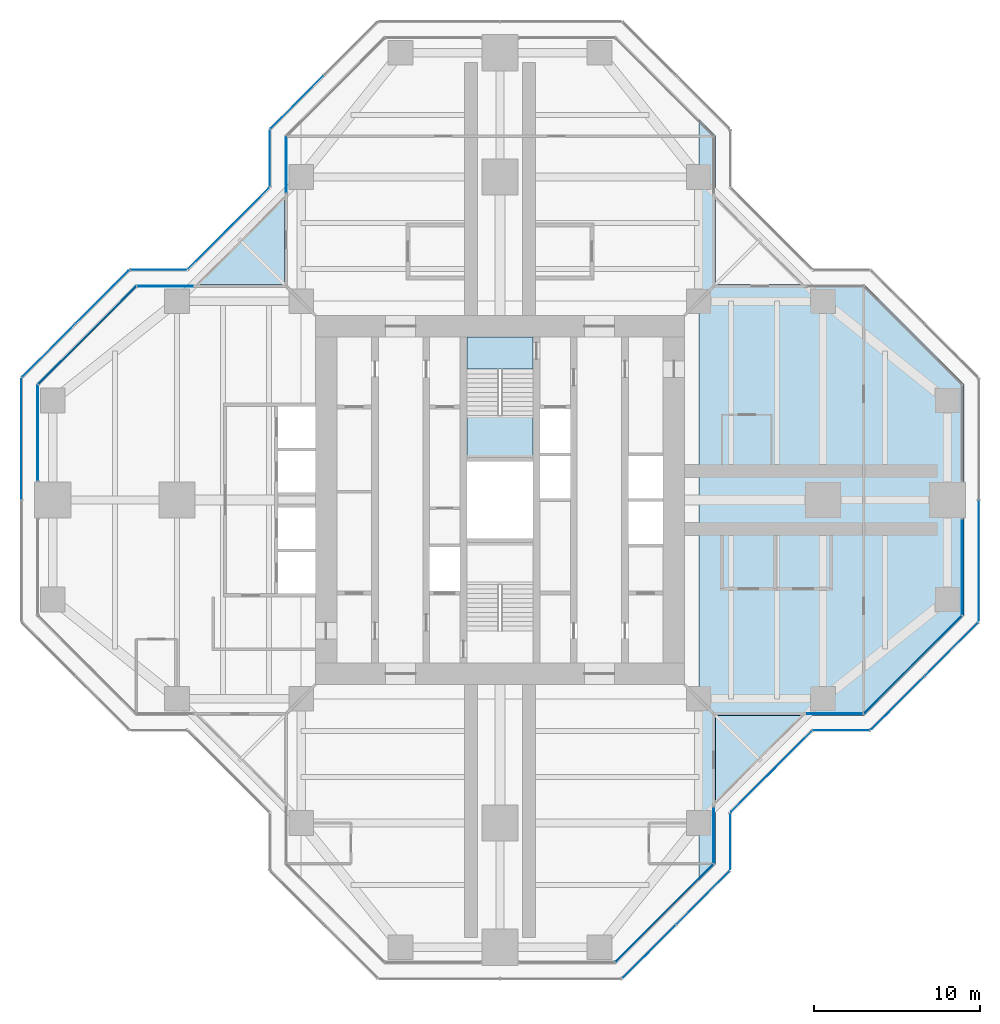
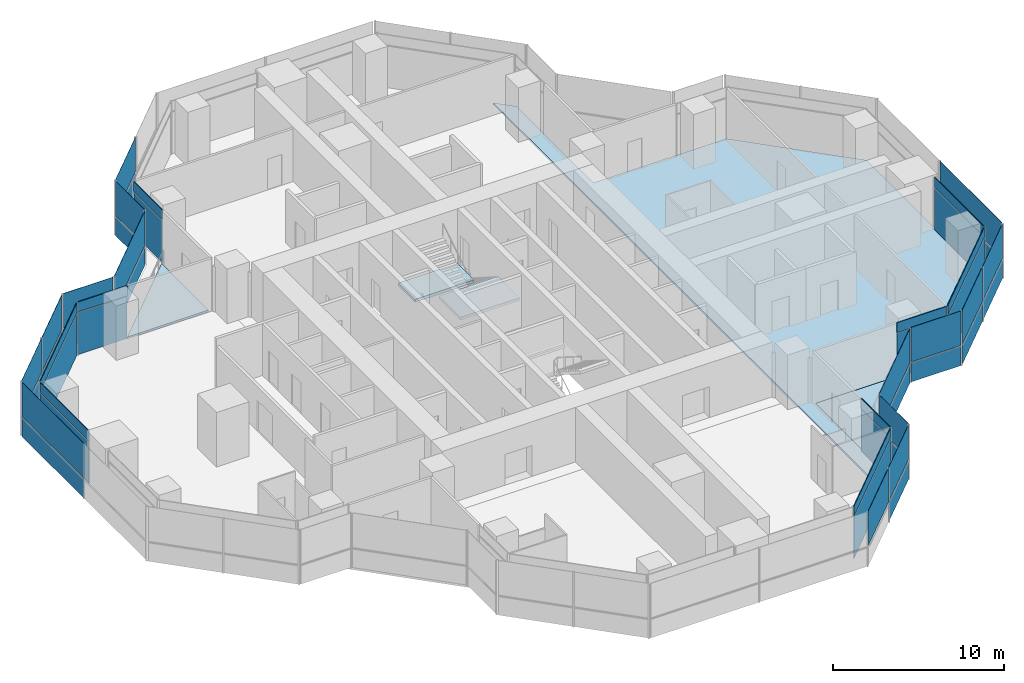
# One storey, part 11 of 17: 47 plates, 5 slabs, 22 elements without a shape of their own.
"""IFC4 building model written with IfcOpenShell, lengths in metres."""

from ifc_helpers import new_model, si_unit, direction, frame, origin, origin_2d, place, context, subcontext, project, spatial, polyline, rectangle, outline, extrude, material, layer, layer_set, type_object, element, aggregate, save


model = new_model("IFC4")

# Units and contexts
model_context = context("Model", 3, precision=1e-05, world=origin(), true_north=direction((0.0, 1.0)))
body_context = subcontext(model_context, "Body", "Model", "MODEL_VIEW")
ifc_project = project(units=[si_unit("LENGTHUNIT", "METRE"), si_unit("AREAUNIT", "SQUARE_METRE"), si_unit("VOLUMEUNIT", "CUBIC_METRE"), si_unit("PLANEANGLEUNIT", "RADIAN"), si_unit("MASSUNIT", "GRAM", prefix="KILO")], contexts=[model_context])

# Site, building, storey
site_placement = place(None, origin())
site = spatial("IfcSite", under=ifc_project, at=site_placement, CompositionType="ELEMENT")
building_placement = place(site_placement, origin())
building = spatial("IfcBuilding", under=site, at=building_placement, Name="Mizan Broadcast Tower", CompositionType="ELEMENT")
storey_placement = place(building_placement, frame((0.0, 0.0, 232.199951171875)))
storey = spatial("IfcBuildingStorey", under=building, at=storey_placement, Name="L54", CompositionType="ELEMENT", Elevation=232.199951171875)

# Slab
ifc_material_1 = material(Name="Concrete C32/40", Category="concrete")
ifc_layer_1 = layer(ifc_material_1, 0.1298828125)
ifc_layer_set_1 = layer_set([ifc_layer_1], Name="Concrete C32/40")
slab_type_1 = type_object("IfcSlabType", Name="COMPOSITE DECK SLAB 130", PredefinedType="FLOOR", material=ifc_layer_set_1)
slab_1_placement = place(storey_placement, frame((0.0, 0.0, -0.1298828125)))
element("IfcSlab", 1, at=slab_1_placement, inside=storey, type_object=slab_type_1, Name="Floor slab L54 east arm", PredefinedType="FLOOR", context=body_context, shape_type="SweptSolid", body=[
    extrude(outline(polyline([(13.0, 22.0), (12.0, 23.0), (12.0, -23.0), (13.0, -22.0), (13.0, -13.0), (22.0, -13.0), (28.0, -7.0), (28.0, 7.0), (22.0, 13.0), (13.0, 13.0), (13.0, 22.0)])), origin(), (0.0, 0.0, 1.0), 0.1298828125),
])

# Curtain wall, plate
ifc_material_2 = material(Name="Aluminium framed glazing", Category="aluminium")
curtain_wall_type_1 = type_object("IfcCurtainWallType", Name="INNER SKIN HIGH ZONE", PredefinedType="USERDEFINED", material=ifc_material_2)
curtain_wall_1_placement = place(storey_placement, origin())
curtain_wall_1 = element("IfcCurtainWall", 2, at=curtain_wall_1_placement, inside=storey, type_object=curtain_wall_type_1, Name="Inner skin high zone L54 E side", ObjectType="INNER SKIN HIGH ZONE", PredefinedType="USERDEFINED")
ifc_material_3 = material(Name="Double glazing, clear low-e", Category="glass")
ifc_layer_2 = layer(ifc_material_3, 0.028076171875)
ifc_layer_set_2 = layer_set([ifc_layer_2], Name="Double glazing, clear low-e")
plate_type_1 = type_object("IfcPlateType", Name="INNER SKIN GLAZING UNIT", PredefinedType="CURTAIN_PANEL", material=ifc_layer_set_2)
plate_1_placement = place(storey_placement, frame((20.229248046875, -12.89990234375, 0.0), z_axis=(0.0, 0.0, 1.0), x_axis=(1.0, 0.0, 0.0)))
plate_1 = element("IfcPlate", 3, at=plate_1_placement, type_object=plate_type_1, Name="Inner skin high zone L54 E side panel 1.1", PredefinedType="CURTAIN_PANEL", context=body_context, shape_type="SweptSolid", body=[
    extrude(rectangle(XDim=3.338623046875, YDim=0.028076171875, at=origin_2d()), origin(), (0.0, 0.0, 1.0), 3.0),
])

curtain_wall_2_placement = place(storey_placement, origin())
curtain_wall_2 = element("IfcCurtainWall", 4, at=curtain_wall_2_placement, inside=storey, type_object=curtain_wall_type_1, Name="Inner skin high zone L54 E chamfer", ObjectType="INNER SKIN HIGH ZONE", PredefinedType="USERDEFINED")
plate_2_placement = place(storey_placement, frame((24.92919921875, -9.92919921875, 0.0), z_axis=(0.0, 0.0, 1.0), x_axis=(0.707106781187, 0.707106781187, 0.0)))
plate_2 = element("IfcPlate", 5, at=plate_2_placement, type_object=plate_type_1, Name="Inner skin high zone L54 E chamfer panel 1.1", PredefinedType="CURTAIN_PANEL", context=body_context, shape_type="SweptSolid", body=[
    extrude(rectangle(XDim=8.282470703125, YDim=0.028076171875, at=origin_2d()), origin(), (0.0, 0.0, 1.0), 3.0),
])

curtain_wall_3_placement = place(storey_placement, origin())
curtain_wall_3 = element("IfcCurtainWall", 6, at=curtain_wall_3_placement, inside=storey, type_object=curtain_wall_type_1, Name="Inner skin high zone L54 E end", ObjectType="INNER SKIN HIGH ZONE", PredefinedType="USERDEFINED")
plate_3_placement = place(storey_placement, frame((27.89990234375, -4.029296875, 0.0), z_axis=(0.0, 0.0, 1.0), x_axis=(0.0, 1.0, 0.0)))
plate_3 = element("IfcPlate", 7, at=plate_3_placement, type_object=plate_type_1, Name="Inner skin high zone L54 E end panel 1.1", PredefinedType="CURTAIN_PANEL", context=body_context, shape_type="SweptSolid", body=[
    extrude(rectangle(XDim=5.738525390625, YDim=0.028076171875, at=origin_2d()), origin(), (0.0, 0.0, 1.0), 3.0),
])

curtain_wall_4_placement = place(storey_placement, origin())
curtain_wall_4 = element("IfcCurtainWall", 8, at=curtain_wall_4_placement, inside=storey, type_object=curtain_wall_type_1, Name="Inner skin high zone L54 N side", ObjectType="INNER SKIN HIGH ZONE", PredefinedType="USERDEFINED")
plate_4_placement = place(storey_placement, frame((-12.89990234375, 20.229248046875, 0.0), z_axis=(0.0, 0.0, 1.0), x_axis=(0.0, -1.0, 0.0)))
plate_4 = element("IfcPlate", 9, at=plate_4_placement, type_object=plate_type_1, Name="Inner skin high zone L54 N side panel 1.1", PredefinedType="CURTAIN_PANEL", context=body_context, shape_type="SweptSolid", body=[
    extrude(rectangle(XDim=3.338623046875, YDim=0.028076171875, at=origin_2d()), origin(), (0.0, 0.0, 1.0), 3.0),
])

curtain_wall_5_placement = place(storey_placement, origin())
curtain_wall_5 = element("IfcCurtainWall", 10, at=curtain_wall_5_placement, inside=storey, type_object=curtain_wall_type_1, Name="Inner skin high zone L54 W side", ObjectType="INNER SKIN HIGH ZONE", PredefinedType="USERDEFINED")
plate_5_placement = place(storey_placement, frame((-20.229248046875, 12.89990234375, 0.0), z_axis=(0.0, 0.0, 1.0), x_axis=(-1.0, 0.0, 0.0)))
plate_5 = element("IfcPlate", 11, at=plate_5_placement, type_object=plate_type_1, Name="Inner skin high zone L54 W side panel 1.1", PredefinedType="CURTAIN_PANEL", context=body_context, shape_type="SweptSolid", body=[
    extrude(rectangle(XDim=3.338623046875, YDim=0.028076171875, at=origin_2d()), origin(), (0.0, 0.0, 1.0), 3.0),
])

curtain_wall_6_placement = place(storey_placement, origin())
curtain_wall_6 = element("IfcCurtainWall", 12, at=curtain_wall_6_placement, inside=storey, type_object=curtain_wall_type_1, Name="Inner skin high zone L54 W chamfer", ObjectType="INNER SKIN HIGH ZONE", PredefinedType="USERDEFINED")
plate_6_placement = place(storey_placement, frame((-24.92919921875, 9.92919921875, 0.0), z_axis=(0.0, 0.0, 1.0), x_axis=(-0.707106781187, -0.707106781187, 0.0)))
plate_6 = element("IfcPlate", 13, at=plate_6_placement, type_object=plate_type_1, Name="Inner skin high zone L54 W chamfer panel 1.1", PredefinedType="CURTAIN_PANEL", context=body_context, shape_type="SweptSolid", body=[
    extrude(rectangle(XDim=8.282470703125, YDim=0.028076171875, at=origin_2d()), origin(), (0.0, 0.0, 1.0), 3.0),
])

curtain_wall_7_placement = place(storey_placement, origin())
curtain_wall_7 = element("IfcCurtainWall", 14, at=curtain_wall_7_placement, inside=storey, type_object=curtain_wall_type_1, Name="Inner skin high zone L54 W end", ObjectType="INNER SKIN HIGH ZONE", PredefinedType="USERDEFINED")
plate_7_placement = place(storey_placement, frame((-27.89990234375, 4.029296875, 0.0), z_axis=(0.0, 0.0, 1.0), x_axis=(0.0, -1.0, 0.0)))
plate_7 = element("IfcPlate", 15, at=plate_7_placement, type_object=plate_type_1, Name="Inner skin high zone L54 W end panel 1.1", PredefinedType="CURTAIN_PANEL", context=body_context, shape_type="SweptSolid", body=[
    extrude(rectangle(XDim=5.738525390625, YDim=0.028076171875, at=origin_2d()), origin(), (0.0, 0.0, 1.0), 3.0),
])

curtain_wall_8_placement = place(storey_placement, origin())
curtain_wall_8 = element("IfcCurtainWall", 16, at=curtain_wall_8_placement, inside=storey, type_object=curtain_wall_type_1, Name="Inner skin high zone L54 S chamfer", ObjectType="INNER SKIN HIGH ZONE", PredefinedType="USERDEFINED")
plate_8_placement = place(storey_placement, frame((9.92919921875, -24.92919921875, 0.0), z_axis=(0.0, 0.0, 1.0), x_axis=(0.707106781187, 0.707106781187, 0.0)))
plate_8 = element("IfcPlate", 17, at=plate_8_placement, type_object=plate_type_1, Name="Inner skin high zone L54 S chamfer panel 1.1", PredefinedType="CURTAIN_PANEL", context=body_context, shape_type="SweptSolid", body=[
    extrude(rectangle(XDim=8.282470703125, YDim=0.028076171875, at=origin_2d()), origin(), (0.0, 0.0, 1.0), 3.0),
])

curtain_wall_9_placement = place(storey_placement, origin())
curtain_wall_9 = element("IfcCurtainWall", 18, at=curtain_wall_9_placement, inside=storey, type_object=curtain_wall_type_1, Name="Inner skin high zone L54 S side", ObjectType="INNER SKIN HIGH ZONE", PredefinedType="USERDEFINED")
plate_9_placement = place(storey_placement, frame((12.89990234375, -20.229248046875, 0.0), z_axis=(0.0, 0.0, 1.0), x_axis=(0.0, 1.0, 0.0)))
plate_9 = element("IfcPlate", 19, at=plate_9_placement, type_object=plate_type_1, Name="Inner skin high zone L54 S side panel 1.1", PredefinedType="CURTAIN_PANEL", context=body_context, shape_type="SweptSolid", body=[
    extrude(rectangle(XDim=3.338623046875, YDim=0.028076171875, at=origin_2d()), origin(), (0.0, 0.0, 1.0), 3.0),
])

# Plate
ifc_material_4 = material(Name="Insulated aluminium spandrel panel, pale anodised", Category="aluminium")
ifc_layer_3 = layer(ifc_material_4, 0.050048828125)
ifc_layer_set_3 = layer_set([ifc_layer_3], Name="Insulated aluminium spandrel panel, pale anodised")
plate_type_2 = type_object("IfcPlateType", Name="INNER SKIN SPANDREL PANEL", PredefinedType="CURTAIN_PANEL", material=ifc_layer_set_3)
plate_10_placement = place(storey_placement, frame((20.229248046875, -12.89990234375, 3.06005859375), z_axis=(0.0, 0.0, 1.0), x_axis=(1.0, 0.0, 0.0)))
plate_10 = element("IfcPlate", 20, at=plate_10_placement, type_object=plate_type_2, Name="Inner skin high zone L54 E side panel 1.2", PredefinedType="CURTAIN_PANEL", context=body_context, shape_type="SweptSolid", body=[
    extrude(rectangle(XDim=3.338623046875, YDim=0.050048828125, at=origin_2d()), origin(), (0.0, 0.0, 1.0), 0.7099609375),
])

aggregate(curtain_wall_1, [plate_1, plate_10])

plate_11_placement = place(storey_placement, frame((24.92919921875, -9.92919921875, 3.06005859375), z_axis=(0.0, 0.0, 1.0), x_axis=(0.707106781187, 0.707106781187, 0.0)))
plate_11 = element("IfcPlate", 21, at=plate_11_placement, type_object=plate_type_2, Name="Inner skin high zone L54 E chamfer panel 1.2", PredefinedType="CURTAIN_PANEL", context=body_context, shape_type="SweptSolid", body=[
    extrude(rectangle(XDim=8.282470703125, YDim=0.050048828125, at=origin_2d()), origin(), (0.0, 0.0, 1.0), 0.7099609375),
])

aggregate(curtain_wall_2, [plate_2, plate_11])

plate_12_placement = place(storey_placement, frame((27.89990234375, -4.029296875, 3.06005859375), z_axis=(0.0, 0.0, 1.0), x_axis=(0.0, 1.0, 0.0)))
plate_12 = element("IfcPlate", 22, at=plate_12_placement, type_object=plate_type_2, Name="Inner skin high zone L54 E end panel 1.2", PredefinedType="CURTAIN_PANEL", context=body_context, shape_type="SweptSolid", body=[
    extrude(rectangle(XDim=5.738525390625, YDim=0.050048828125, at=origin_2d()), origin(), (0.0, 0.0, 1.0), 0.7099609375),
])

aggregate(curtain_wall_3, [plate_3, plate_12])

plate_13_placement = place(storey_placement, frame((-12.89990234375, 20.229248046875, 3.06005859375), z_axis=(0.0, 0.0, 1.0), x_axis=(0.0, -1.0, 0.0)))
plate_13 = element("IfcPlate", 23, at=plate_13_placement, type_object=plate_type_2, Name="Inner skin high zone L54 N side panel 1.2", PredefinedType="CURTAIN_PANEL", context=body_context, shape_type="SweptSolid", body=[
    extrude(rectangle(XDim=3.338623046875, YDim=0.050048828125, at=origin_2d()), origin(), (0.0, 0.0, 1.0), 0.7099609375),
])

aggregate(curtain_wall_4, [plate_4, plate_13])

plate_14_placement = place(storey_placement, frame((-20.229248046875, 12.89990234375, 3.06005859375), z_axis=(0.0, 0.0, 1.0), x_axis=(-1.0, 0.0, 0.0)))
plate_14 = element("IfcPlate", 24, at=plate_14_placement, type_object=plate_type_2, Name="Inner skin high zone L54 W side panel 1.2", PredefinedType="CURTAIN_PANEL", context=body_context, shape_type="SweptSolid", body=[
    extrude(rectangle(XDim=3.338623046875, YDim=0.050048828125, at=origin_2d()), origin(), (0.0, 0.0, 1.0), 0.7099609375),
])

aggregate(curtain_wall_5, [plate_5, plate_14])

plate_15_placement = place(storey_placement, frame((-24.92919921875, 9.92919921875, 3.06005859375), z_axis=(0.0, 0.0, 1.0), x_axis=(-0.707106781187, -0.707106781187, 0.0)))
plate_15 = element("IfcPlate", 25, at=plate_15_placement, type_object=plate_type_2, Name="Inner skin high zone L54 W chamfer panel 1.2", PredefinedType="CURTAIN_PANEL", context=body_context, shape_type="SweptSolid", body=[
    extrude(rectangle(XDim=8.282470703125, YDim=0.050048828125, at=origin_2d()), origin(), (0.0, 0.0, 1.0), 0.7099609375),
])

aggregate(curtain_wall_6, [plate_6, plate_15])

plate_16_placement = place(storey_placement, frame((-27.89990234375, 4.029296875, 3.06005859375), z_axis=(0.0, 0.0, 1.0), x_axis=(0.0, -1.0, 0.0)))
plate_16 = element("IfcPlate", 26, at=plate_16_placement, type_object=plate_type_2, Name="Inner skin high zone L54 W end panel 1.2", PredefinedType="CURTAIN_PANEL", context=body_context, shape_type="SweptSolid", body=[
    extrude(rectangle(XDim=5.738525390625, YDim=0.050048828125, at=origin_2d()), origin(), (0.0, 0.0, 1.0), 0.7099609375),
])

aggregate(curtain_wall_7, [plate_7, plate_16])

plate_17_placement = place(storey_placement, frame((9.92919921875, -24.92919921875, 3.06005859375), z_axis=(0.0, 0.0, 1.0), x_axis=(0.707106781187, 0.707106781187, 0.0)))
plate_17 = element("IfcPlate", 27, at=plate_17_placement, type_object=plate_type_2, Name="Inner skin high zone L54 S chamfer panel 1.2", PredefinedType="CURTAIN_PANEL", context=body_context, shape_type="SweptSolid", body=[
    extrude(rectangle(XDim=8.282470703125, YDim=0.050048828125, at=origin_2d()), origin(), (0.0, 0.0, 1.0), 0.7099609375),
])

aggregate(curtain_wall_8, [plate_8, plate_17])

plate_18_placement = place(storey_placement, frame((12.89990234375, -20.229248046875, 3.06005859375), z_axis=(0.0, 0.0, 1.0), x_axis=(0.0, 1.0, 0.0)))
plate_18 = element("IfcPlate", 28, at=plate_18_placement, type_object=plate_type_2, Name="Inner skin high zone L54 S side panel 1.2", PredefinedType="CURTAIN_PANEL", context=body_context, shape_type="SweptSolid", body=[
    extrude(rectangle(XDim=3.338623046875, YDim=0.050048828125, at=origin_2d()), origin(), (0.0, 0.0, 1.0), 0.7099609375),
])

aggregate(curtain_wall_9, [plate_9, plate_18])

# Curtain wall, plates
ifc_material_5 = material(Name="Aluminium framed glazing", Category="aluminium")
curtain_wall_type_2 = type_object("IfcCurtainWallType", Name="OUTER SKIN", PredefinedType="USERDEFINED", material=ifc_material_5)
curtain_wall_10_placement = place(storey_placement, origin())
curtain_wall_10 = element("IfcCurtainWall", 29, at=curtain_wall_10_placement, inside=storey, type_object=curtain_wall_type_2, Name="Outer skin L54 E chamfer", ObjectType="OUTER SKIN", PredefinedType="USERDEFINED")
ifc_material_6 = material(Name="Laminated clear glass", Category="glass")
ifc_layer_4 = layer(ifc_material_6, 0.02001953125)
ifc_layer_set_4 = layer_set([ifc_layer_4], Name="Laminated clear glass")
plate_type_3 = type_object("IfcPlateType", Name="OUTER SKIN CLEAR GLASS", PredefinedType="CURTAIN_PANEL", material=ifc_layer_set_4)
plate_19_placement = place(storey_placement, frame((24.018798828125, -12.254150390625, 0.0), z_axis=(0.0, 0.0, 1.0), x_axis=(0.707106781187, 0.707106781187, 0.0)))
plate_19 = element("IfcPlate", 30, at=plate_19_placement, type_object=plate_type_3, Name="Outer skin L54 E chamfer panel 1.1", PredefinedType="CURTAIN_PANEL", context=body_context, shape_type="SweptSolid", body=[
    extrude(rectangle(XDim=4.495361328125, YDim=0.02001953125, at=origin_2d()), origin(), (0.0, 0.0, 1.0), 1.3701171875),
])
plate_20_placement = place(storey_placement, frame((24.018798828125, -12.254150390625, 1.43017578125), z_axis=(0.0, 0.0, 1.0), x_axis=(0.707106781187, 0.707106781187, 0.0)))
plate_20 = element("IfcPlate", 31, at=plate_20_placement, type_object=plate_type_3, Name="Outer skin L54 E chamfer panel 1.2", PredefinedType="CURTAIN_PANEL", context=body_context, shape_type="SweptSolid", body=[
    extrude(rectangle(XDim=4.495361328125, YDim=0.02001953125, at=origin_2d()), origin(), (0.0, 0.0, 1.0), 2.469970703125),
])

curtain_wall_11_placement = place(storey_placement, origin())
curtain_wall_11 = element("IfcCurtainWall", 32, at=curtain_wall_11_placement, inside=storey, type_object=curtain_wall_type_2, Name="Outer skin L54 E end", ObjectType="OUTER SKIN", PredefinedType="USERDEFINED")
plate_21_placement = place(storey_placement, frame((28.89990234375, -3.66650390625, 0.0), z_axis=(0.0, 0.0, 1.0), x_axis=(0.0, 1.0, 0.0)))
plate_21 = element("IfcPlate", 33, at=plate_21_placement, type_object=plate_type_3, Name="Outer skin L54 E end panel 1.1", PredefinedType="CURTAIN_PANEL", context=body_context, shape_type="SweptSolid", body=[
    extrude(rectangle(XDim=7.252685546875, YDim=0.02001953125, at=origin_2d()), origin(), (0.0, 0.0, 1.0), 1.3701171875),
])
plate_22_placement = place(storey_placement, frame((28.89990234375, -3.66650390625, 1.43017578125), z_axis=(0.0, 0.0, 1.0), x_axis=(0.0, 1.0, 0.0)))
plate_22 = element("IfcPlate", 34, at=plate_22_placement, type_object=plate_type_3, Name="Outer skin L54 E end panel 1.2", PredefinedType="CURTAIN_PANEL", context=body_context, shape_type="SweptSolid", body=[
    extrude(rectangle(XDim=7.252685546875, YDim=0.02001953125, at=origin_2d()), origin(), (0.0, 0.0, 1.0), 2.469970703125),
])
aggregate(curtain_wall_11, [plate_21, plate_22])

curtain_wall_12_placement = place(storey_placement, origin())
curtain_wall_12 = element("IfcCurtainWall", 35, at=curtain_wall_12_placement, inside=storey, type_object=curtain_wall_type_2, Name="Outer skin L54 N side", ObjectType="OUTER SKIN", PredefinedType="USERDEFINED")
plate_23_placement = place(storey_placement, frame((-13.89990234375, 20.622802734375, 0.0), z_axis=(0.0, 0.0, 1.0), x_axis=(0.0, -1.0, 0.0)))
plate_23 = element("IfcPlate", 36, at=plate_23_placement, type_object=plate_type_3, Name="Outer skin L54 N side panel 1.1", PredefinedType="CURTAIN_PANEL", context=body_context, shape_type="SweptSolid", body=[
    extrude(rectangle(XDim=3.340087890625, YDim=0.02001953125, at=origin_2d()), origin(), (0.0, 0.0, 1.0), 1.3701171875),
])
plate_24_placement = place(storey_placement, frame((-13.89990234375, 20.622802734375, 1.43017578125), z_axis=(0.0, 0.0, 1.0), x_axis=(0.0, -1.0, 0.0)))
plate_24 = element("IfcPlate", 37, at=plate_24_placement, type_object=plate_type_3, Name="Outer skin L54 N side panel 1.2", PredefinedType="CURTAIN_PANEL", context=body_context, shape_type="SweptSolid", body=[
    extrude(rectangle(XDim=3.340087890625, YDim=0.02001953125, at=origin_2d()), origin(), (0.0, 0.0, 1.0), 2.469970703125),
])
aggregate(curtain_wall_12, [plate_23, plate_24])

curtain_wall_13_placement = place(storey_placement, origin())
curtain_wall_13 = element("IfcCurtainWall", 38, at=curtain_wall_13_placement, inside=storey, type_object=curtain_wall_type_2, Name="Outer skin L54 W chamfer", ObjectType="OUTER SKIN", PredefinedType="USERDEFINED")
plate_25_placement = place(storey_placement, frame((-16.386474609375, 16.386474609375, 0.0), z_axis=(0.0, 0.0, 1.0), x_axis=(-0.707106781187, -0.707106781187, 0.0)))
plate_25 = element("IfcPlate", 39, at=plate_25_placement, type_object=plate_type_3, Name="Outer skin L54 W chamfer panel 1.1", PredefinedType="CURTAIN_PANEL", context=body_context, shape_type="SweptSolid", body=[
    extrude(rectangle(XDim=6.87255859375, YDim=0.02001953125, at=origin_2d()), origin(), (0.0, 0.0, 1.0), 1.3701171875),
])
plate_26_placement = place(storey_placement, frame((-16.386474609375, 16.386474609375, 1.43017578125), z_axis=(0.0, 0.0, 1.0), x_axis=(-0.707106781187, -0.707106781187, 0.0)))
plate_26 = element("IfcPlate", 40, at=plate_26_placement, type_object=plate_type_3, Name="Outer skin L54 W chamfer panel 1.2", PredefinedType="CURTAIN_PANEL", context=body_context, shape_type="SweptSolid", body=[
    extrude(rectangle(XDim=6.87255859375, YDim=0.02001953125, at=origin_2d()), origin(), (0.0, 0.0, 1.0), 2.469970703125),
])
aggregate(curtain_wall_13, [plate_25, plate_26])

curtain_wall_14_placement = place(storey_placement, origin())
curtain_wall_14 = element("IfcCurtainWall", 41, at=curtain_wall_14_placement, inside=storey, type_object=curtain_wall_type_2, Name="Outer skin L54 W side", ObjectType="OUTER SKIN", PredefinedType="USERDEFINED")
plate_27_placement = place(storey_placement, frame((-20.622802734375, 13.89990234375, 0.0), z_axis=(0.0, 0.0, 1.0), x_axis=(-1.0, 0.0, 0.0)))
plate_27 = element("IfcPlate", 42, at=plate_27_placement, type_object=plate_type_3, Name="Outer skin L54 W side panel 1.1", PredefinedType="CURTAIN_PANEL", context=body_context, shape_type="SweptSolid", body=[
    extrude(rectangle(XDim=3.340087890625, YDim=0.02001953125, at=origin_2d()), origin(), (0.0, 0.0, 1.0), 1.3701171875),
])
plate_28_placement = place(storey_placement, frame((-20.622802734375, 13.89990234375, 1.43017578125), z_axis=(0.0, 0.0, 1.0), x_axis=(-1.0, 0.0, 0.0)))
plate_28 = element("IfcPlate", 43, at=plate_28_placement, type_object=plate_type_3, Name="Outer skin L54 W side panel 1.2", PredefinedType="CURTAIN_PANEL", context=body_context, shape_type="SweptSolid", body=[
    extrude(rectangle(XDim=3.340087890625, YDim=0.02001953125, at=origin_2d()), origin(), (0.0, 0.0, 1.0), 2.469970703125),
])
aggregate(curtain_wall_14, [plate_27, plate_28])

curtain_wall_15_placement = place(storey_placement, origin())
curtain_wall_15 = element("IfcCurtainWall", 44, at=curtain_wall_15_placement, inside=storey, type_object=curtain_wall_type_2, Name="Outer skin L54 W chamfer", ObjectType="OUTER SKIN", PredefinedType="USERDEFINED")
plate_29_placement = place(storey_placement, frame((-24.018798828125, 12.254150390625, 0.0), z_axis=(0.0, 0.0, 1.0), x_axis=(-0.707106781187, -0.707106781187, 0.0)))
plate_29 = element("IfcPlate", 45, at=plate_29_placement, type_object=plate_type_3, Name="Outer skin L54 W chamfer panel 1.1", PredefinedType="CURTAIN_PANEL", context=body_context, shape_type="SweptSolid", body=[
    extrude(rectangle(XDim=4.495361328125, YDim=0.02001953125, at=origin_2d()), origin(), (0.0, 0.0, 1.0), 1.3701171875),
])
plate_30_placement = place(storey_placement, frame((-24.018798828125, 12.254150390625, 1.43017578125), z_axis=(0.0, 0.0, 1.0), x_axis=(-0.707106781187, -0.707106781187, 0.0)))
plate_30 = element("IfcPlate", 46, at=plate_30_placement, type_object=plate_type_3, Name="Outer skin L54 W chamfer panel 1.2", PredefinedType="CURTAIN_PANEL", context=body_context, shape_type="SweptSolid", body=[
    extrude(rectangle(XDim=4.495361328125, YDim=0.02001953125, at=origin_2d()), origin(), (0.0, 0.0, 1.0), 2.469970703125),
])

curtain_wall_16_placement = place(storey_placement, origin())
curtain_wall_16 = element("IfcCurtainWall", 47, at=curtain_wall_16_placement, inside=storey, type_object=curtain_wall_type_2, Name="Outer skin L54 W end", ObjectType="OUTER SKIN", PredefinedType="USERDEFINED")
plate_31_placement = place(storey_placement, frame((-28.89990234375, 3.66650390625, 0.0), z_axis=(0.0, 0.0, 1.0), x_axis=(0.0, -1.0, 0.0)))
plate_31 = element("IfcPlate", 48, at=plate_31_placement, type_object=plate_type_3, Name="Outer skin L54 W end panel 1.1", PredefinedType="CURTAIN_PANEL", context=body_context, shape_type="SweptSolid", body=[
    extrude(rectangle(XDim=7.252685546875, YDim=0.02001953125, at=origin_2d()), origin(), (0.0, 0.0, 1.0), 1.3701171875),
])
plate_32_placement = place(storey_placement, frame((-28.89990234375, 3.66650390625, 1.43017578125), z_axis=(0.0, 0.0, 1.0), x_axis=(0.0, -1.0, 0.0)))
plate_32 = element("IfcPlate", 49, at=plate_32_placement, type_object=plate_type_3, Name="Outer skin L54 W end panel 1.2", PredefinedType="CURTAIN_PANEL", context=body_context, shape_type="SweptSolid", body=[
    extrude(rectangle(XDim=7.252685546875, YDim=0.02001953125, at=origin_2d()), origin(), (0.0, 0.0, 1.0), 2.469970703125),
])
aggregate(curtain_wall_16, [plate_31, plate_32])

# Curtain wall, plate
curtain_wall_17_placement = place(storey_placement, origin())
curtain_wall_17 = element("IfcCurtainWall", 50, at=curtain_wall_17_placement, inside=storey, type_object=curtain_wall_type_2, Name="Outer skin L54 S chamfer", ObjectType="OUTER SKIN", PredefinedType="USERDEFINED")
plate_33_placement = place(storey_placement, frame((9.018798828125, -27.254150390625, 1.43017578125), z_axis=(0.0, 0.0, 1.0), x_axis=(0.707106781187, 0.707106781187, 0.0)))
plate_33 = element("IfcPlate", 51, at=plate_33_placement, type_object=plate_type_3, Name="Outer skin L54 S chamfer panel 1.2", PredefinedType="CURTAIN_PANEL", context=body_context, shape_type="SweptSolid", body=[
    extrude(rectangle(XDim=4.495361328125, YDim=0.02001953125, at=origin_2d()), origin(), (0.0, 0.0, 1.0), 2.469970703125),
])

# Curtain wall, plates
curtain_wall_18_placement = place(storey_placement, origin())
curtain_wall_18 = element("IfcCurtainWall", 52, at=curtain_wall_18_placement, inside=storey, type_object=curtain_wall_type_2, Name="Outer skin L54 S side", ObjectType="OUTER SKIN", PredefinedType="USERDEFINED")
plate_34_placement = place(storey_placement, frame((13.89990234375, -20.622802734375, 0.0), z_axis=(0.0, 0.0, 1.0), x_axis=(0.0, 1.0, 0.0)))
plate_34 = element("IfcPlate", 53, at=plate_34_placement, type_object=plate_type_3, Name="Outer skin L54 S side panel 1.1", PredefinedType="CURTAIN_PANEL", context=body_context, shape_type="SweptSolid", body=[
    extrude(rectangle(XDim=3.340087890625, YDim=0.02001953125, at=origin_2d()), origin(), (0.0, 0.0, 1.0), 1.3701171875),
])
plate_35_placement = place(storey_placement, frame((13.89990234375, -20.622802734375, 1.43017578125), z_axis=(0.0, 0.0, 1.0), x_axis=(0.0, 1.0, 0.0)))
plate_35 = element("IfcPlate", 54, at=plate_35_placement, type_object=plate_type_3, Name="Outer skin L54 S side panel 1.2", PredefinedType="CURTAIN_PANEL", context=body_context, shape_type="SweptSolid", body=[
    extrude(rectangle(XDim=3.340087890625, YDim=0.02001953125, at=origin_2d()), origin(), (0.0, 0.0, 1.0), 2.469970703125),
])
aggregate(curtain_wall_18, [plate_34, plate_35])

curtain_wall_19_placement = place(storey_placement, origin())
curtain_wall_19 = element("IfcCurtainWall", 55, at=curtain_wall_19_placement, inside=storey, type_object=curtain_wall_type_2, Name="Outer skin L54 E chamfer", ObjectType="OUTER SKIN", PredefinedType="USERDEFINED")
plate_36_placement = place(storey_placement, frame((16.386474609375, -16.386474609375, 0.0), z_axis=(0.0, 0.0, 1.0), x_axis=(0.707106781187, 0.707106781187, 0.0)))
plate_36 = element("IfcPlate", 56, at=plate_36_placement, type_object=plate_type_3, Name="Outer skin L54 E chamfer panel 1.1", PredefinedType="CURTAIN_PANEL", context=body_context, shape_type="SweptSolid", body=[
    extrude(rectangle(XDim=6.87255859375, YDim=0.02001953125, at=origin_2d()), origin(), (0.0, 0.0, 1.0), 1.3701171875),
])
plate_37_placement = place(storey_placement, frame((16.386474609375, -16.386474609375, 1.43017578125), z_axis=(0.0, 0.0, 1.0), x_axis=(0.707106781187, 0.707106781187, 0.0)))
plate_37 = element("IfcPlate", 57, at=plate_37_placement, type_object=plate_type_3, Name="Outer skin L54 E chamfer panel 1.2", PredefinedType="CURTAIN_PANEL", context=body_context, shape_type="SweptSolid", body=[
    extrude(rectangle(XDim=6.87255859375, YDim=0.02001953125, at=origin_2d()), origin(), (0.0, 0.0, 1.0), 2.469970703125),
])
aggregate(curtain_wall_19, [plate_36, plate_37])

curtain_wall_20_placement = place(storey_placement, origin())
curtain_wall_20 = element("IfcCurtainWall", 58, at=curtain_wall_20_placement, inside=storey, type_object=curtain_wall_type_2, Name="Outer skin L54 E side", ObjectType="OUTER SKIN", PredefinedType="USERDEFINED")
plate_38_placement = place(storey_placement, frame((20.622802734375, -13.89990234375, 0.0), z_axis=(0.0, 0.0, 1.0), x_axis=(1.0, 0.0, 0.0)))
plate_38 = element("IfcPlate", 59, at=plate_38_placement, type_object=plate_type_3, Name="Outer skin L54 E side panel 1.1", PredefinedType="CURTAIN_PANEL", context=body_context, shape_type="SweptSolid", body=[
    extrude(rectangle(XDim=3.340087890625, YDim=0.02001953125, at=origin_2d()), origin(), (0.0, 0.0, 1.0), 1.3701171875),
])
plate_39_placement = place(storey_placement, frame((20.622802734375, -13.89990234375, 1.43017578125), z_axis=(0.0, 0.0, 1.0), x_axis=(1.0, 0.0, 0.0)))
plate_39 = element("IfcPlate", 60, at=plate_39_placement, type_object=plate_type_3, Name="Outer skin L54 E side panel 1.2", PredefinedType="CURTAIN_PANEL", context=body_context, shape_type="SweptSolid", body=[
    extrude(rectangle(XDim=3.340087890625, YDim=0.02001953125, at=origin_2d()), origin(), (0.0, 0.0, 1.0), 2.469970703125),
])
aggregate(curtain_wall_20, [plate_38, plate_39])

# Plate
ifc_material_7 = material(Name="Perforated aluminium, pale anodised", Category="aluminium")
ifc_layer_5 = layer(ifc_material_7, 0.011962890625)
ifc_layer_set_5 = layer_set([ifc_layer_5], Name="Perforated aluminium, pale anodised")
plate_type_4 = type_object("IfcPlateType", Name="OUTER SKIN PERFORATED SCREEN", PredefinedType="USERDEFINED", material=ifc_layer_set_5)
plate_40_placement = place(storey_placement, frame((27.254150390625, -9.018798828125, 0.0), z_axis=(0.0, 0.0, 1.0), x_axis=(0.707106781187, 0.707106781187, 0.0)))
plate_40 = element("IfcPlate", 61, at=plate_40_placement, type_object=plate_type_4, Name="Outer skin L54 E chamfer panel 2.1", ObjectType="SCREEN", PredefinedType="USERDEFINED", context=body_context, shape_type="SweptSolid", body=[
    extrude(rectangle(XDim=4.495361328125, YDim=0.011962890625, at=origin_2d()), origin(), (0.0, 0.0, 1.0), 1.3701171875),
])

plate_41_placement = place(storey_placement, frame((27.254150390625, -9.018798828125, 1.43017578125), z_axis=(0.0, 0.0, 1.0), x_axis=(0.707106781187, 0.707106781187, 0.0)))
plate_41 = element("IfcPlate", 62, at=plate_41_placement, type_object=plate_type_4, Name="Outer skin L54 E chamfer panel 2.2", ObjectType="SCREEN", PredefinedType="USERDEFINED", context=body_context, shape_type="SweptSolid", body=[
    extrude(rectangle(XDim=4.495361328125, YDim=0.011962890625, at=origin_2d()), origin(), (0.0, 0.0, 1.0), 2.469970703125),
])

aggregate(curtain_wall_10, [plate_19, plate_20, plate_40, plate_41])

# Curtain wall, plates
curtain_wall_21_placement = place(storey_placement, origin())
curtain_wall_21 = element("IfcCurtainWall", 63, at=curtain_wall_21_placement, inside=storey, type_object=curtain_wall_type_2, Name="Outer skin L54 N chamfer", ObjectType="OUTER SKIN", PredefinedType="USERDEFINED")
plate_42_placement = place(storey_placement, frame((-12.254150390625, 24.018798828125, 0.0), z_axis=(0.0, 0.0, 1.0), x_axis=(-0.707106781187, -0.707106781187, 0.0)))
plate_42 = element("IfcPlate", 64, at=plate_42_placement, type_object=plate_type_4, Name="Outer skin L54 N chamfer panel 2.1", ObjectType="SCREEN", PredefinedType="USERDEFINED", context=body_context, shape_type="SweptSolid", body=[
    extrude(rectangle(XDim=4.495361328125, YDim=0.011962890625, at=origin_2d()), origin(), (0.0, 0.0, 1.0), 1.3701171875),
])
plate_43_placement = place(storey_placement, frame((-12.254150390625, 24.018798828125, 1.43017578125), z_axis=(0.0, 0.0, 1.0), x_axis=(-0.707106781187, -0.707106781187, 0.0)))
plate_43 = element("IfcPlate", 65, at=plate_43_placement, type_object=plate_type_4, Name="Outer skin L54 N chamfer panel 2.2", ObjectType="SCREEN", PredefinedType="USERDEFINED", context=body_context, shape_type="SweptSolid", body=[
    extrude(rectangle(XDim=4.495361328125, YDim=0.011962890625, at=origin_2d()), origin(), (0.0, 0.0, 1.0), 2.469970703125),
])
aggregate(curtain_wall_21, [plate_42, plate_43])

# Plate
plate_44_placement = place(storey_placement, frame((-27.254150390625, 9.018798828125, 0.0), z_axis=(0.0, 0.0, 1.0), x_axis=(-0.707106781187, -0.707106781187, 0.0)))
plate_44 = element("IfcPlate", 66, at=plate_44_placement, type_object=plate_type_4, Name="Outer skin L54 W chamfer panel 2.1", ObjectType="SCREEN", PredefinedType="USERDEFINED", context=body_context, shape_type="SweptSolid", body=[
    extrude(rectangle(XDim=4.495361328125, YDim=0.011962890625, at=origin_2d()), origin(), (0.0, 0.0, 1.0), 1.3701171875),
])

plate_45_placement = place(storey_placement, frame((-27.254150390625, 9.018798828125, 1.43017578125), z_axis=(0.0, 0.0, 1.0), x_axis=(-0.707106781187, -0.707106781187, 0.0)))
plate_45 = element("IfcPlate", 67, at=plate_45_placement, type_object=plate_type_4, Name="Outer skin L54 W chamfer panel 2.2", ObjectType="SCREEN", PredefinedType="USERDEFINED", context=body_context, shape_type="SweptSolid", body=[
    extrude(rectangle(XDim=4.495361328125, YDim=0.011962890625, at=origin_2d()), origin(), (0.0, 0.0, 1.0), 2.469970703125),
])

aggregate(curtain_wall_15, [plate_29, plate_30, plate_44, plate_45])

plate_46_placement = place(storey_placement, frame((12.254150390625, -24.018798828125, 0.0), z_axis=(0.0, 0.0, 1.0), x_axis=(0.707106781187, 0.707106781187, 0.0)))
plate_46 = element("IfcPlate", 68, at=plate_46_placement, type_object=plate_type_4, Name="Outer skin L54 S chamfer panel 2.1", ObjectType="SCREEN", PredefinedType="USERDEFINED", context=body_context, shape_type="SweptSolid", body=[
    extrude(rectangle(XDim=4.495361328125, YDim=0.011962890625, at=origin_2d()), origin(), (0.0, 0.0, 1.0), 1.3701171875),
])

plate_47_placement = place(storey_placement, frame((12.254150390625, -24.018798828125, 1.43017578125), z_axis=(0.0, 0.0, 1.0), x_axis=(0.707106781187, 0.707106781187, 0.0)))
plate_47 = element("IfcPlate", 69, at=plate_47_placement, type_object=plate_type_4, Name="Outer skin L54 S chamfer panel 2.2", ObjectType="SCREEN", PredefinedType="USERDEFINED", context=body_context, shape_type="SweptSolid", body=[
    extrude(rectangle(XDim=4.495361328125, YDim=0.011962890625, at=origin_2d()), origin(), (0.0, 0.0, 1.0), 2.469970703125),
])

aggregate(curtain_wall_17, [plate_33, plate_46, plate_47])

# Stair, slabs
ifc_material_8 = material(Name="Concrete C40/50", Category="concrete")
stair_type = type_object("IfcStairType", Name="EXIT STAIR", PredefinedType="HALF_TURN_STAIR", material=ifc_material_8)
stair_placement = place(storey_placement, origin())
stair = element("IfcStair", 70, at=stair_placement, inside=storey, type_object=stair_type, Name="Stair B L54", PredefinedType="HALF_TURN_STAIR")
ifc_material_9 = material(Name="Concrete C40/50", Category="concrete")
ifc_layer_6 = layer(ifc_material_9, 0.199951171875)
ifc_layer_set_6 = layer_set([ifc_layer_6], Name="Concrete C40/50")
slab_type_2 = type_object("IfcSlabType", Name="STAIR LANDING 200", PredefinedType="LANDING", material=ifc_layer_set_6)
slab_2_placement = place(storey_placement, frame((0.0, 0.0, -0.199951171875)))
slab_2 = element("IfcSlab", 71, at=slab_2_placement, type_object=slab_type_2, Name="B landing 1", PredefinedType="LANDING", context=body_context, shape_type="SweptSolid", body=[
    extrude(outline(polyline([(2.0, 9.85009765625), (2.0, 7.89990234375), (-2.0, 7.89990234375), (-2.0, 9.85009765625), (2.0, 9.85009765625)])), origin(), (0.0, 0.0, 1.0), 0.199951171875),
])
slab_3_placement = place(storey_placement, frame((0.0, 0.0, 1.75)))
slab_3 = element("IfcSlab", 72, at=slab_3_placement, type_object=slab_type_2, Name="B landing 2", PredefinedType="LANDING", context=body_context, shape_type="SweptSolid", body=[
    extrude(outline(polyline([(2.0, 5.10009765625), (2.0, 2.574951171875), (-2.0, 2.574951171875), (-2.0, 5.10009765625), (2.0, 5.10009765625)])), origin(), (0.0, 0.0, 1.0), 0.199951171875),
])
aggregate(stair, [slab_2, slab_3])

# Slabs
ifc_material_10 = material(Name="Concrete C32/40", Category="concrete")
ifc_layer_7 = layer(ifc_material_10, 0.1298828125)
ifc_layer_set_7 = layer_set([ifc_layer_7], Name="Concrete C32/40")
slab_type_3 = type_object("IfcSlabType", Name="WINTER GARDEN SLAB 130", PredefinedType="FLOOR", material=ifc_layer_set_7)
slab_4_placement = place(storey_placement, frame((0.0, 0.0, -0.1298828125)))
element("IfcSlab", 73, at=slab_4_placement, inside=storey, type_object=slab_type_3, Name="Winter garden slab L54 N", PredefinedType="FLOOR", context=body_context, shape_type="SweptSolid", body=[
    extrude(outline(polyline([(-13.0, 13.0), (-13.0, 18.5), (-18.5, 13.0), (-13.0, 13.0)])), origin(), (0.0, 0.0, 1.0), 0.1298828125),
])
slab_5_placement = place(storey_placement, frame((0.0, 0.0, -0.1298828125)))
element("IfcSlab", 74, at=slab_5_placement, inside=storey, type_object=slab_type_3, Name="Winter garden slab L54 S", PredefinedType="FLOOR", context=body_context, shape_type="SweptSolid", body=[
    extrude(outline(polyline([(13.0, -13.0), (13.0, -18.5), (18.5, -13.0), (13.0, -13.0)])), origin(), (0.0, 0.0, 1.0), 0.1298828125),
])

save(model, "model.ifc")
